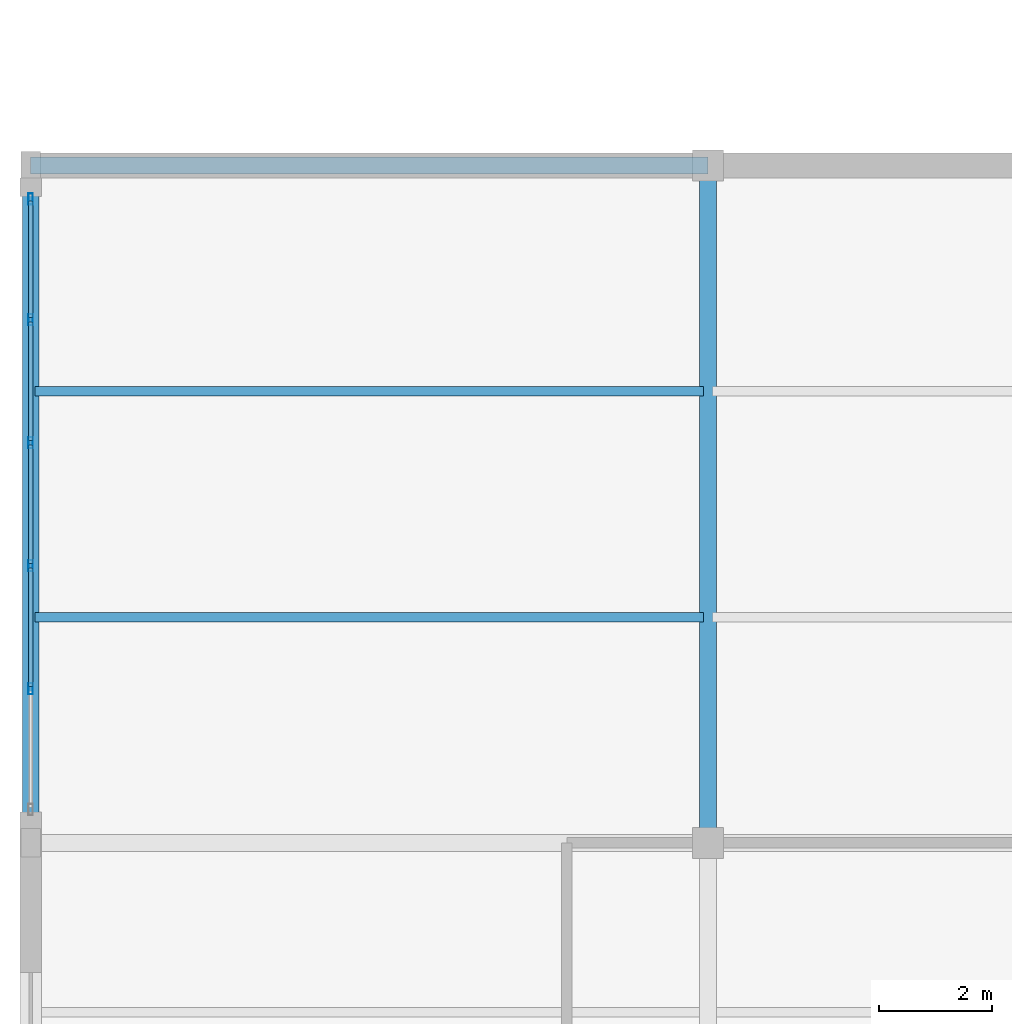
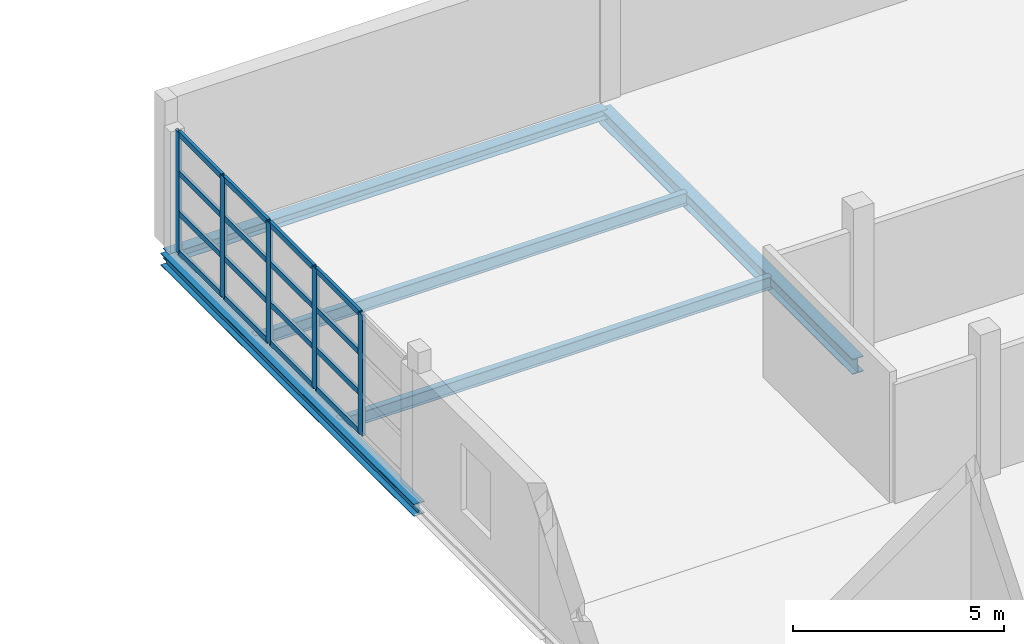
# One storey, part 46 of 86: 21 members, 5 beams, 1 element without a shape of its own.
"""IFC4 building model written with IfcOpenShell, lengths in metres."""

from ifc_helpers import new_model, si_unit, direction, frame, origin, origin_2d, place, context, subcontext, project, spatial, hollow_rectangle, i_section, extrude, material, layer, layer_set, material_profile, profile_set, type_object, element, aggregate, save


model = new_model("IFC4")

# Units and contexts
model_context = context("Model", 3, precision=1e-05, world=origin(), true_north=direction((0.0, 1.0)))
body_context = subcontext(model_context, "Body", "Model", "MODEL_VIEW")
ifc_project = project(units=[si_unit("LENGTHUNIT", "METRE"), si_unit("AREAUNIT", "SQUARE_METRE"), si_unit("VOLUMEUNIT", "CUBIC_METRE"), si_unit("PLANEANGLEUNIT", "RADIAN"), si_unit("MASSUNIT", "GRAM", prefix="KILO")], contexts=[model_context])

# Site, building, storey
site_placement = place(None, origin())
site = spatial("IfcSite", under=ifc_project, at=site_placement, CompositionType="ELEMENT")
building_placement = place(site_placement, origin())
building = spatial("IfcBuilding", under=site, at=building_placement, Name="Zilviju Railside Exhibition Hall", CompositionType="ELEMENT")
storey_placement = place(building_placement, frame((0.0, 0.0, 12.60009765625)))
storey = spatial("IfcBuildingStorey", under=building, at=storey_placement, Name="L04", CompositionType="ELEMENT", Elevation=12.60009765625)

# Beams
ifc_material_1 = material(Name="Steel S355J2", Category="steel")
ifc_material_profile_1 = material_profile(ifc_material_1, i_section(OverallWidth=0.300048828125, OverallDepth=0.2900390625, WebThickness=0.008544921875, FlangeThickness=0.013916015625, at=origin_2d()), Name="HEA 300")
ifc_profile_set_1 = profile_set([ifc_material_profile_1], Name="Steel S355J2")
beam_type_1 = type_object("IfcBeamType", Name="BM-HEA300", PredefinedType="SPANDREL", material=ifc_profile_set_1)
beam_1_placement = place(storey_placement, frame((0.0, 138.0, -0.485107421875), z_axis=(1.0, 0.0, 0.0), x_axis=(0.0, 1.0, 0.0)))
element("IfcBeam", 1, at=beam_1_placement, inside=storey, type_object=beam_type_1, Name="Primary Girder L04 Y=138.0 (0.0..12.0)", PredefinedType="SPANDREL", context=body_context, shape_type="SweptSolid", body=[
    extrude(i_section(OverallWidth=0.300048828125, OverallDepth=0.2900390625, WebThickness=0.008544921875, FlangeThickness=0.013916015625, at=origin_2d()), origin(), (0.0, 0.0, 1.0), 12.0),
])
ifc_material_profile_2 = material_profile(ifc_material_1, i_section(OverallWidth=0.300048828125, OverallDepth=0.35009765625, WebThickness=0.010009765625, FlangeThickness=0.017578125, at=origin_2d()), Name="HEA 360")
ifc_profile_set_2 = profile_set([ifc_material_profile_2], Name="Steel S355J2")
beam_type_2 = type_object("IfcBeamType", Name="BM-HEA360", PredefinedType="BEAM", material=ifc_profile_set_2)
beam_2_placement = place(storey_placement, frame((0.0, 126.0, -0.51513671875), z_axis=(0.0, 1.0, 0.0), x_axis=(-1.0, 0.0, 0.0)))
element("IfcBeam", 2, at=beam_2_placement, inside=storey, type_object=beam_type_2, Name="Transverse Girder L04 X=0.0 (126.0..138.0)", PredefinedType="BEAM", context=body_context, shape_type="SweptSolid", body=[
    extrude(i_section(OverallWidth=0.300048828125, OverallDepth=0.35009765625, WebThickness=0.010009765625, FlangeThickness=0.017578125, at=origin_2d()), origin(), (0.0, 0.0, 1.0), 12.0),
])
ifc_material_profile_3 = material_profile(ifc_material_1, i_section(OverallWidth=0.300048828125, OverallDepth=0.449951171875, WebThickness=0.013916015625, FlangeThickness=0.02587890625, at=origin_2d()), Name="HEB 450")
ifc_profile_set_3 = profile_set([ifc_material_profile_3], Name="Steel S355J2")
beam_type_3 = type_object("IfcBeamType", Name="BM-HEB450", PredefinedType="BEAM", material=ifc_profile_set_3)
beam_3_placement = place(storey_placement, frame((12.0, 126.0, -0.565185546875), z_axis=(0.0, 1.0, 0.0), x_axis=(-1.0, 0.0, 0.0)))
element("IfcBeam", 3, at=beam_3_placement, inside=storey, type_object=beam_type_3, Name="Transverse Girder L04 X=12.0 (126.0..138.0)", PredefinedType="BEAM", context=body_context, shape_type="SweptSolid", body=[
    extrude(i_section(OverallWidth=0.300048828125, OverallDepth=0.449951171875, WebThickness=0.013916015625, FlangeThickness=0.02587890625, at=origin_2d()), origin(), (0.0, 0.0, 1.0), 12.0),
])
ifc_material_profile_4 = material_profile(ifc_material_1, i_section(OverallWidth=0.169921875, OverallDepth=0.360107421875, WebThickness=0.008056640625, FlangeThickness=0.0126953125, at=origin_2d()), Name="IPE 360")
ifc_profile_set_4 = profile_set([ifc_material_profile_4], Name="Steel S355J2")
beam_type_4 = type_object("IfcBeamType", Name="BM-IPE360", PredefinedType="JOIST", material=ifc_profile_set_4)
for number, where, z_axis, x_axis, name in (
    (4, (0.080078125, 130.0, -0.52001953125), (1.0, 0.0, 0.0), (0.0, 1.0, 0.0), "Composite Floor Joist L04 Y=130.00 (0.0..12.0)"),
    (5, (0.080078125, 134.0, -0.52001953125), (1.0, 0.0, 0.0), (0.0, 1.0, 0.0), "Composite Floor Joist L04 Y=134.00 (0.0..12.0)"),
):
    element("IfcBeam", number, at=place(storey_placement, frame(where, z_axis=z_axis, x_axis=x_axis)), inside=storey, type_object=beam_type_4, Name=name, PredefinedType="JOIST", context=body_context, shape_type="SweptSolid", body=[
        extrude(i_section(OverallWidth=0.169921875, OverallDepth=0.360107421875, WebThickness=0.008056640625, FlangeThickness=0.0126953125, at=origin_2d()), origin(), (0.0, 0.0, 1.0), 11.83984375),
    ])

# Curtain wall, members
ifc_material_2 = material(Name="Thermally broken aluminium-steel triple-glazed curtain wall", Category="steel")
ifc_layer = layer(ifc_material_2, 0.179931640625)
ifc_layer_set = layer_set([ifc_layer], Name="Thermally broken aluminium-steel triple-glazed curtain wall")
curtain_wall_type = type_object("IfcCurtainWallType", Name="CW-BAY-06", PredefinedType="USERDEFINED", material=ifc_layer_set)
curtain_wall_placement = place(storey_placement, origin())
curtain_wall = element("IfcCurtainWall", 6, at=curtain_wall_placement, inside=storey, type_object=curtain_wall_type, Name="Organisers Wing Jugendstils Erkeri Curtain Wall L04", ObjectType="GLAZED CURTAIN WALL", PredefinedType="USERDEFINED")
ifc_material_3 = material(Name="Thermally broken anodized aluminium mullion", Category="aluminium")
ifc_material_profile_5 = material_profile(ifc_material_3, hollow_rectangle(XDim=0.080078125, YDim=0.199951171875, WallThickness=0.0048828125, at=origin_2d()), Name="MULLION 200x80x5")
ifc_profile_set_5 = profile_set([ifc_material_profile_5], Name="Thermally broken anodized aluminium mullion")
member_type_1 = type_object("IfcMemberType", Name="CWM-80x200", PredefinedType="MULLION", material=ifc_profile_set_5)
member_1_placement = place(storey_placement, frame((0.0, 128.72998046875, 0.0), z_axis=(0.0, 0.0, 1.0), x_axis=(-1.0, 0.0, 0.0)))
member_1 = element("IfcMember", 7, at=member_1_placement, type_object=member_type_1, Name="CW-06 mullion 2", PredefinedType="MULLION", context=body_context, shape_type="SweptSolid", body=[
    extrude(hollow_rectangle(XDim=0.080078125, YDim=0.199951171875, WallThickness=0.0048828125, at=origin_2d()), origin(), (0.0, 0.0, 1.0), 3.5),
])
member_2_placement = place(storey_placement, frame((0.0, 130.909912109375, 0.0), z_axis=(0.0, 0.0, 1.0), x_axis=(-1.0, 0.0, 0.0)))
member_2 = element("IfcMember", 8, at=member_2_placement, type_object=member_type_1, Name="CW-06 mullion 3", PredefinedType="MULLION", context=body_context, shape_type="SweptSolid", body=[
    extrude(hollow_rectangle(XDim=0.080078125, YDim=0.199951171875, WallThickness=0.0048828125, at=origin_2d()), origin(), (0.0, 0.0, 1.0), 3.5),
])
member_3_placement = place(storey_placement, frame((0.0, 133.090087890625, 0.0), z_axis=(0.0, 0.0, 1.0), x_axis=(-1.0, 0.0, 0.0)))
member_3 = element("IfcMember", 9, at=member_3_placement, type_object=member_type_1, Name="CW-06 mullion 4", PredefinedType="MULLION", context=body_context, shape_type="SweptSolid", body=[
    extrude(hollow_rectangle(XDim=0.080078125, YDim=0.199951171875, WallThickness=0.0048828125, at=origin_2d()), origin(), (0.0, 0.0, 1.0), 3.5),
])
member_4_placement = place(storey_placement, frame((0.0, 135.27001953125, 0.0), z_axis=(0.0, 0.0, 1.0), x_axis=(-1.0, 0.0, 0.0)))
member_4 = element("IfcMember", 10, at=member_4_placement, type_object=member_type_1, Name="CW-06 mullion 5", PredefinedType="MULLION", context=body_context, shape_type="SweptSolid", body=[
    extrude(hollow_rectangle(XDim=0.080078125, YDim=0.199951171875, WallThickness=0.0048828125, at=origin_2d()), origin(), (0.0, 0.0, 1.0), 3.5),
])
member_5_placement = place(storey_placement, frame((0.0, 137.409912109375, 0.0), z_axis=(0.0, 0.0, 1.0), x_axis=(-1.0, 0.0, 0.0)))
member_5 = element("IfcMember", 11, at=member_5_placement, type_object=member_type_1, Name="CW-06 mullion 6", PredefinedType="MULLION", context=body_context, shape_type="SweptSolid", body=[
    extrude(hollow_rectangle(XDim=0.080078125, YDim=0.199951171875, WallThickness=0.0048828125, at=origin_2d()), origin(), (0.0, 0.0, 1.0), 3.5),
])
ifc_material_4 = material(Name="Thermally broken anodized aluminium transom", Category="aluminium")
ifc_material_profile_6 = material_profile(ifc_material_4, hollow_rectangle(XDim=0.080078125, YDim=0.159912109375, WallThickness=0.0048828125, at=origin_2d()), Name="TRANSOM 160x80x5")
ifc_profile_set_6 = profile_set([ifc_material_profile_6], Name="Thermally broken anodized aluminium transom")
member_type_2 = type_object("IfcMemberType", Name="CWT-80x160", PredefinedType="USERDEFINED", material=ifc_profile_set_6)
member_6_placement = place(storey_placement, frame((0.0, 128.77001953125, 0.039794921875), z_axis=(0.0, 1.0, 0.0), x_axis=(-1.0, 0.0, 0.0)))
member_6 = element("IfcMember", 12, at=member_6_placement, type_object=member_type_2, Name="CW-06 transom 2.1", ObjectType="TRANSOM", PredefinedType="USERDEFINED", context=body_context, shape_type="SweptSolid", body=[
    extrude(hollow_rectangle(XDim=0.080078125, YDim=0.159912109375, WallThickness=0.0048828125, at=origin_2d()), origin(), (0.0, 0.0, 1.0), 2.10009765625),
])
member_7_placement = place(storey_placement, frame((0.0, 128.77001953125, 1.1669921875), z_axis=(0.0, 1.0, 0.0), x_axis=(-1.0, 0.0, 0.0)))
member_7 = element("IfcMember", 13, at=member_7_placement, type_object=member_type_2, Name="CW-06 transom 2.2", ObjectType="TRANSOM", PredefinedType="USERDEFINED", context=body_context, shape_type="SweptSolid", body=[
    extrude(hollow_rectangle(XDim=0.080078125, YDim=0.159912109375, WallThickness=0.0048828125, at=origin_2d()), origin(), (0.0, 0.0, 1.0), 2.10009765625),
])
member_8_placement = place(storey_placement, frame((0.0, 128.77001953125, 2.3330078125), z_axis=(0.0, 1.0, 0.0), x_axis=(-1.0, 0.0, 0.0)))
member_8 = element("IfcMember", 14, at=member_8_placement, type_object=member_type_2, Name="CW-06 transom 2.3", ObjectType="TRANSOM", PredefinedType="USERDEFINED", context=body_context, shape_type="SweptSolid", body=[
    extrude(hollow_rectangle(XDim=0.080078125, YDim=0.159912109375, WallThickness=0.0048828125, at=origin_2d()), origin(), (0.0, 0.0, 1.0), 2.10009765625),
])
member_9_placement = place(storey_placement, frame((0.0, 128.77001953125, 3.4599609375), z_axis=(0.0, 1.0, 0.0), x_axis=(-1.0, 0.0, 0.0)))
member_9 = element("IfcMember", 15, at=member_9_placement, type_object=member_type_2, Name="CW-06 transom 2.4", ObjectType="TRANSOM", PredefinedType="USERDEFINED", context=body_context, shape_type="SweptSolid", body=[
    extrude(hollow_rectangle(XDim=0.080078125, YDim=0.159912109375, WallThickness=0.0048828125, at=origin_2d()), origin(), (0.0, 0.0, 1.0), 2.10009765625),
])
member_10_placement = place(storey_placement, frame((0.0, 130.949951171875, 0.039794921875), z_axis=(0.0, 1.0, 0.0), x_axis=(-1.0, 0.0, 0.0)))
member_10 = element("IfcMember", 16, at=member_10_placement, type_object=member_type_2, Name="CW-06 transom 3.1", ObjectType="TRANSOM", PredefinedType="USERDEFINED", context=body_context, shape_type="SweptSolid", body=[
    extrude(hollow_rectangle(XDim=0.080078125, YDim=0.159912109375, WallThickness=0.0048828125, at=origin_2d()), origin(), (0.0, 0.0, 1.0), 2.10009765625),
])
member_11_placement = place(storey_placement, frame((0.0, 130.949951171875, 1.1669921875), z_axis=(0.0, 1.0, 0.0), x_axis=(-1.0, 0.0, 0.0)))
member_11 = element("IfcMember", 17, at=member_11_placement, type_object=member_type_2, Name="CW-06 transom 3.2", ObjectType="TRANSOM", PredefinedType="USERDEFINED", context=body_context, shape_type="SweptSolid", body=[
    extrude(hollow_rectangle(XDim=0.080078125, YDim=0.159912109375, WallThickness=0.0048828125, at=origin_2d()), origin(), (0.0, 0.0, 1.0), 2.10009765625),
])
member_12_placement = place(storey_placement, frame((0.0, 130.949951171875, 2.3330078125), z_axis=(0.0, 1.0, 0.0), x_axis=(-1.0, 0.0, 0.0)))
member_12 = element("IfcMember", 18, at=member_12_placement, type_object=member_type_2, Name="CW-06 transom 3.3", ObjectType="TRANSOM", PredefinedType="USERDEFINED", context=body_context, shape_type="SweptSolid", body=[
    extrude(hollow_rectangle(XDim=0.080078125, YDim=0.159912109375, WallThickness=0.0048828125, at=origin_2d()), origin(), (0.0, 0.0, 1.0), 2.10009765625),
])
member_13_placement = place(storey_placement, frame((0.0, 130.949951171875, 3.4599609375), z_axis=(0.0, 1.0, 0.0), x_axis=(-1.0, 0.0, 0.0)))
member_13 = element("IfcMember", 19, at=member_13_placement, type_object=member_type_2, Name="CW-06 transom 3.4", ObjectType="TRANSOM", PredefinedType="USERDEFINED", context=body_context, shape_type="SweptSolid", body=[
    extrude(hollow_rectangle(XDim=0.080078125, YDim=0.159912109375, WallThickness=0.0048828125, at=origin_2d()), origin(), (0.0, 0.0, 1.0), 2.10009765625),
])
member_14_placement = place(storey_placement, frame((0.0, 133.1298828125, 0.039794921875), z_axis=(0.0, 1.0, 0.0), x_axis=(-1.0, 0.0, 0.0)))
member_14 = element("IfcMember", 20, at=member_14_placement, type_object=member_type_2, Name="CW-06 transom 4.1", ObjectType="TRANSOM", PredefinedType="USERDEFINED", context=body_context, shape_type="SweptSolid", body=[
    extrude(hollow_rectangle(XDim=0.080078125, YDim=0.159912109375, WallThickness=0.0048828125, at=origin_2d()), origin(), (0.0, 0.0, 1.0), 2.10009765625),
])
member_15_placement = place(storey_placement, frame((0.0, 133.1298828125, 1.1669921875), z_axis=(0.0, 1.0, 0.0), x_axis=(-1.0, 0.0, 0.0)))
member_15 = element("IfcMember", 21, at=member_15_placement, type_object=member_type_2, Name="CW-06 transom 4.2", ObjectType="TRANSOM", PredefinedType="USERDEFINED", context=body_context, shape_type="SweptSolid", body=[
    extrude(hollow_rectangle(XDim=0.080078125, YDim=0.159912109375, WallThickness=0.0048828125, at=origin_2d()), origin(), (0.0, 0.0, 1.0), 2.10009765625),
])
member_16_placement = place(storey_placement, frame((0.0, 133.1298828125, 2.3330078125), z_axis=(0.0, 1.0, 0.0), x_axis=(-1.0, 0.0, 0.0)))
member_16 = element("IfcMember", 22, at=member_16_placement, type_object=member_type_2, Name="CW-06 transom 4.3", ObjectType="TRANSOM", PredefinedType="USERDEFINED", context=body_context, shape_type="SweptSolid", body=[
    extrude(hollow_rectangle(XDim=0.080078125, YDim=0.159912109375, WallThickness=0.0048828125, at=origin_2d()), origin(), (0.0, 0.0, 1.0), 2.10009765625),
])
member_17_placement = place(storey_placement, frame((0.0, 133.1298828125, 3.4599609375), z_axis=(0.0, 1.0, 0.0), x_axis=(-1.0, 0.0, 0.0)))
member_17 = element("IfcMember", 23, at=member_17_placement, type_object=member_type_2, Name="CW-06 transom 4.4", ObjectType="TRANSOM", PredefinedType="USERDEFINED", context=body_context, shape_type="SweptSolid", body=[
    extrude(hollow_rectangle(XDim=0.080078125, YDim=0.159912109375, WallThickness=0.0048828125, at=origin_2d()), origin(), (0.0, 0.0, 1.0), 2.10009765625),
])
member_18_placement = place(storey_placement, frame((0.0, 135.31005859375, 0.039794921875), z_axis=(0.0, 1.0, 0.0), x_axis=(-1.0, 0.0, 0.0)))
member_18 = element("IfcMember", 24, at=member_18_placement, type_object=member_type_2, Name="CW-06 transom 5.1", ObjectType="TRANSOM", PredefinedType="USERDEFINED", context=body_context, shape_type="SweptSolid", body=[
    extrude(hollow_rectangle(XDim=0.080078125, YDim=0.159912109375, WallThickness=0.0048828125, at=origin_2d()), origin(), (0.0, 0.0, 1.0), 2.06005859375),
])
member_19_placement = place(storey_placement, frame((0.0, 135.31005859375, 1.1669921875), z_axis=(0.0, 1.0, 0.0), x_axis=(-1.0, 0.0, 0.0)))
member_19 = element("IfcMember", 25, at=member_19_placement, type_object=member_type_2, Name="CW-06 transom 5.2", ObjectType="TRANSOM", PredefinedType="USERDEFINED", context=body_context, shape_type="SweptSolid", body=[
    extrude(hollow_rectangle(XDim=0.080078125, YDim=0.159912109375, WallThickness=0.0048828125, at=origin_2d()), origin(), (0.0, 0.0, 1.0), 2.06005859375),
])
member_20_placement = place(storey_placement, frame((0.0, 135.31005859375, 2.3330078125), z_axis=(0.0, 1.0, 0.0), x_axis=(-1.0, 0.0, 0.0)))
member_20 = element("IfcMember", 26, at=member_20_placement, type_object=member_type_2, Name="CW-06 transom 5.3", ObjectType="TRANSOM", PredefinedType="USERDEFINED", context=body_context, shape_type="SweptSolid", body=[
    extrude(hollow_rectangle(XDim=0.080078125, YDim=0.159912109375, WallThickness=0.0048828125, at=origin_2d()), origin(), (0.0, 0.0, 1.0), 2.06005859375),
])
member_21_placement = place(storey_placement, frame((0.0, 135.31005859375, 3.4599609375), z_axis=(0.0, 1.0, 0.0), x_axis=(-1.0, 0.0, 0.0)))
member_21 = element("IfcMember", 27, at=member_21_placement, type_object=member_type_2, Name="CW-06 transom 5.4", ObjectType="TRANSOM", PredefinedType="USERDEFINED", context=body_context, shape_type="SweptSolid", body=[
    extrude(hollow_rectangle(XDim=0.080078125, YDim=0.159912109375, WallThickness=0.0048828125, at=origin_2d()), origin(), (0.0, 0.0, 1.0), 2.06005859375),
])
aggregate(curtain_wall, [member_1, member_2, member_3, member_4, member_5, member_6, member_7, member_8, member_9, member_10, member_11, member_12, member_13, member_14, member_15, member_16, member_17, member_18, member_19, member_20, member_21])

save(model, "model.ifc")
